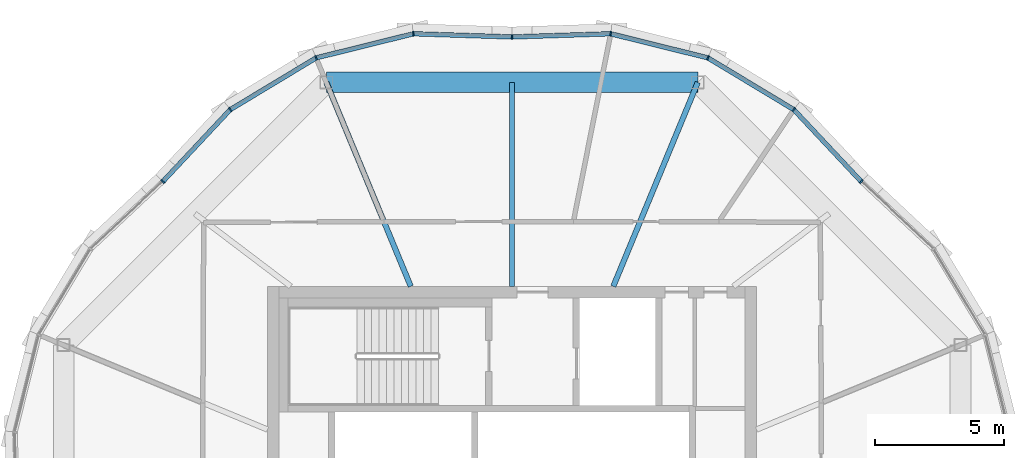
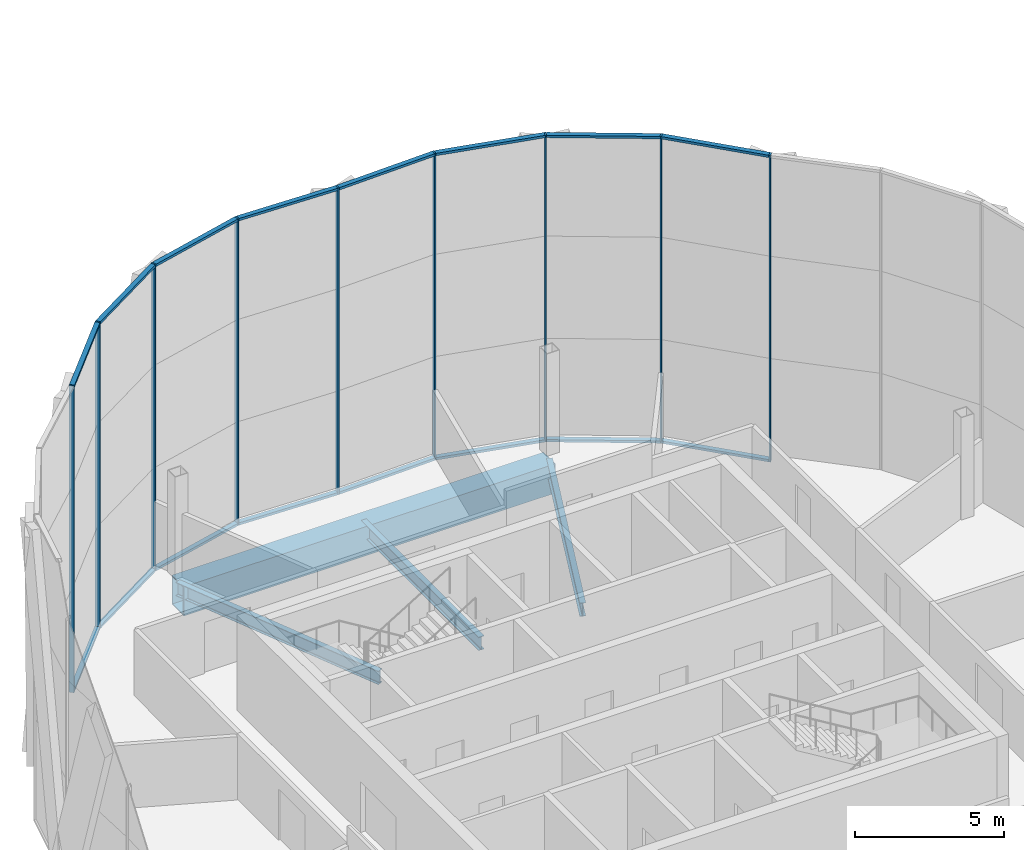
# One storey, part 7 of 23: 25 members, 4 beams, 3 elements without a shape of their own.
"""IFC4 building model written with IfcOpenShell, lengths in metres."""

import ifcopenshell
import ifcopenshell.guid

model = None  # the IFC model being written
_history = None  # IfcOwnerHistory: only IFC2X3 demands one
_inside = {}  # id of a spatial element -> (the spatial element, [elements in it])
_under = {}  # id of a project, library or spatial element -> (it, [spatial elements below it])
_declared = {}  # id of a project -> (the project, [libraries it declares])
_typed = {}  # id of a type object -> (the type object, [elements of that type])
_made_of = {}  # id of a material, layer set ... -> (it, [elements and type objects made of it])


def new_model(schema):
    """Start an empty IFC model of exactly this schema.

    Asked for "IFC4X3", IfcOpenShell would pick the latest addendum, in which some entities
    have other attributes; the version numbers below select the first issue.
    IFC2X3 requires an IfcOwnerHistory on every rooted entity: one is made here for all.
    """
    global model, _history
    if schema == "IFC4X3":
        model = ifcopenshell.file(schema_version=(4, 3, 0, 0))
    else:
        model = ifcopenshell.file(schema=schema)
    _inside.clear()
    _under.clear()
    _declared.clear()
    _typed.clear()
    _made_of.clear()
    _history = None
    if model.schema == "IFC2X3":
        org = make("IfcOrganization", Name="unknown")
        user = make(
            "IfcPersonAndOrganization",
            ThePerson=make("IfcPerson", FamilyName="unknown"),
            TheOrganization=org,
        )
        app = make(
            "IfcApplication",
            ApplicationDeveloper=org,
            Version="unknown",
            ApplicationFullName="unknown",
            ApplicationIdentifier="unknown",
        )
        _history = make(
            "IfcOwnerHistory",
            OwningUser=user,
            OwningApplication=app,
            ChangeAction="ADDED",
            CreationDate=0,
        )
    return model


def make(cls, **values):
    """One entity of the class cls with the attributes given. An attribute that is None is left unset."""
    return model.create_entity(
        cls, **{name: value for name, value in values.items() if value is not None}
    )


def rooted(cls, **values):
    """An entity with a GlobalId (a new one), such as an element, a storey or a relation."""
    return make(cls, GlobalId=ifcopenshell.guid.new(), OwnerHistory=_history, **values)


def si_unit(unit_type, name, prefix=None):
    """IfcSIUnit, for example si_unit("LENGTHUNIT", "METRE", prefix="MILLI")."""
    return make("IfcSIUnit", UnitType=unit_type, Prefix=prefix, Name=name)


def assignment(units):
    """IfcUnitAssignment: the units of a project."""
    return None if units is None else make("IfcUnitAssignment", Units=units)


def point(xyz):
    """IfcCartesianPoint."""
    return None if xyz is None else make("IfcCartesianPoint", Coordinates=xyz)


def direction(xyz):
    """IfcDirection."""
    return None if xyz is None else make("IfcDirection", DirectionRatios=xyz)


def frame(location, z_axis=None, x_axis=None):
    """IfcAxis2Placement3D, a coordinate frame: its origin and axes. An axis left out is left unset."""
    return make(
        "IfcAxis2Placement3D",
        Location=point(location),
        Axis=direction(z_axis),
        RefDirection=direction(x_axis),
    )


def frame_2d(location, x_axis=None):
    """IfcAxis2Placement2D, a coordinate frame in the plane: its origin and x axis."""
    return make(
        "IfcAxis2Placement2D", Location=point(location), RefDirection=direction(x_axis)
    )


def origin():
    """The frame at (0, 0, 0) with its axes left unset."""
    return frame((0.0, 0.0, 0.0))


def origin_2d():
    """The frame at (0, 0) in the plane with its x axis left unset."""
    return frame_2d((0.0, 0.0))


def place(relative_to, where):
    """IfcLocalPlacement: puts the frame where relative to a parent placement (None: the world)."""
    return make(
        "IfcLocalPlacement", PlacementRelTo=relative_to, RelativePlacement=where
    )


def context(
    kind, dimensions, precision=None, world=None, true_north=None, identifier=None
):
    """IfcGeometricRepresentationContext, for example the 3D "Model" context."""
    return make(
        "IfcGeometricRepresentationContext",
        ContextIdentifier=identifier,
        ContextType=kind,
        CoordinateSpaceDimension=dimensions,
        Precision=precision,
        WorldCoordinateSystem=world,
        TrueNorth=true_north,
    )


def subcontext(parent, identifier, kind, view, scale=None):
    """IfcGeometricRepresentationSubContext, for example "Body" below "Model"."""
    return make(
        "IfcGeometricRepresentationSubContext",
        ContextIdentifier=identifier,
        ContextType=kind,
        ParentContext=parent,
        TargetScale=scale,
        TargetView=view,
    )


def project(units=None, contexts=None):
    """IfcProject with its units and contexts."""
    return rooted(
        "IfcProject",
        Name="project",
        RepresentationContexts=contexts,
        UnitsInContext=assignment(units),
    )


def spatial(cls, under=None, at=None, **own):
    """A site, building, storey or space (cls), placed at a placement, below another one or the project."""
    s = rooted(cls, ObjectPlacement=at, **own)
    if under is not None:
        _under.setdefault(under.id(), (under, []))[1].append(s)
    return s


def profile(cls, at=None, kind="AREA", **sizes):
    """A parametric profile (cls). Its sizes go by their IFC names, for example OverallWidth=200.0."""
    return make(cls, ProfileType=kind, Position=at, **sizes)


def rectangle(**sizes):
    """IfcRectangleProfileDef."""
    return profile("IfcRectangleProfileDef", **sizes)


def hollow_rectangle(**sizes):
    """IfcRectangleHollowProfileDef."""
    return profile("IfcRectangleHollowProfileDef", **sizes)


def i_section(**sizes):
    """IfcIShapeProfileDef."""
    return profile("IfcIShapeProfileDef", **sizes)


def extrude(swept, where, along, depth):
    """IfcExtrudedAreaSolid: the profile swept, set in the frame where, extruded along a direction by depth."""
    return make(
        "IfcExtrudedAreaSolid",
        SweptArea=swept,
        Position=where,
        ExtrudedDirection=direction(along),
        Depth=depth,
    )


def shape(context_of_items, identifier, shape_type, items):
    """IfcShapeRepresentation: the items that make up one representation, for example the "Body"."""
    return make(
        "IfcShapeRepresentation",
        ContextOfItems=context_of_items,
        RepresentationIdentifier=identifier,
        RepresentationType=shape_type,
        Items=items,
    )


def material(Name=None, Category=None):
    """IfcMaterial."""
    return make("IfcMaterial", Name=Name, Category=Category)


def material_profile(
    of_material, cross_section, Name=None, Category=None, Priority=None
):
    """IfcMaterialProfile: a cross section and its material."""
    return make(
        "IfcMaterialProfile",
        Name=Name,
        Material=of_material,
        Profile=cross_section,
        Priority=Priority,
        Category=Category,
    )


def profile_set(profiles, Name=None, composite=None):
    """IfcMaterialProfileSet."""
    return make(
        "IfcMaterialProfileSet",
        Name=Name,
        MaterialProfiles=profiles,
        CompositeProfile=composite,
    )


def made_of(thing, what):
    """Note that an element or type object is made of a material, layer set ...; save() writes the relation."""
    if what is not None:
        _made_of.setdefault(what.id(), (what, []))[1].append(thing)
    return thing


def type_object(cls, material=None, **own):
    """A type object (cls), such as IfcWallType, which elements share."""
    return made_of(rooted(cls, **own), material)


def element(
    cls,
    number,
    at=None,
    inside=None,
    cuts=None,
    type_object=None,
    material=None,
    context=None,
    identifier="Body",
    shape_type=None,
    held_by="IfcProductDefinitionShape",
    body=None,
    shapes=None,
    **own,
):
    """One element of the class cls, such as IfcWall. Its Tag is "e" and its number.

    at: its placement. inside: the storey or other place that contains it. cuts: it is an
    opening in that element (IfcRelVoidsElement). A single representation is given by context,
    identifier, shape_type and body (its items); several are given by shapes. held_by: the class
    of the entity that holds the representations. save() writes the other relations.
    """
    e = rooted(cls, Tag="e%d" % number, ObjectPlacement=at, **own)
    if body is not None:
        shapes = [shape(context, identifier, shape_type, body)]
    if shapes is not None:
        e.Representation = make(held_by, Representations=shapes)
    if inside is not None:
        _inside.setdefault(inside.id(), (inside, []))[1].append(e)
    if cuts is not None:
        rooted(
            "IfcRelVoidsElement", RelatingBuildingElement=cuts, RelatedOpeningElement=e
        )
    if type_object is not None:
        _typed.setdefault(type_object.id(), (type_object, []))[1].append(e)
    return made_of(e, material)


def aggregate(whole, parts):
    """IfcRelAggregates: a whole, such as a stair, and the parts it consists of."""
    return rooted("IfcRelAggregates", RelatingObject=whole, RelatedObjects=parts)


def save(model, path):
    """Write the relations noted so far, then the file.

    IfcRelAggregates (storeys below a building ...), IfcRelContainedInSpatialStructure (elements
    in a storey), IfcRelDefinesByType, IfcRelAssociatesMaterial and IfcRelDeclares: one each for
    every whole, place, type object, material and project.
    """
    for whole, parts in _under.values():
        aggregate(whole, parts)
    for where, things in _inside.values():
        rooted(
            "IfcRelContainedInSpatialStructure",
            RelatedElements=things,
            RelatingStructure=where,
        )
    for kind, things in _typed.values():
        rooted("IfcRelDefinesByType", RelatedObjects=things, RelatingType=kind)
    for what, things in _made_of.values():
        rooted("IfcRelAssociatesMaterial", RelatedObjects=things, RelatingMaterial=what)
    for by, libraries in _declared.values():
        rooted("IfcRelDeclares", RelatingContext=by, RelatedDefinitions=libraries)
    model.write(path)


model = new_model("IFC4")

# Units and contexts
model_context = context("Model", 3, precision=1e-05, world=origin(), true_north=direction((0.0, 1.0)))
body_context = subcontext(model_context, "Body", "Model", "MODEL_VIEW")
ifc_project = project(units=[si_unit("LENGTHUNIT", "METRE"), si_unit("AREAUNIT", "SQUARE_METRE"), si_unit("VOLUMEUNIT", "CUBIC_METRE"), si_unit("PLANEANGLEUNIT", "RADIAN"), si_unit("MASSUNIT", "GRAM", prefix="KILO")], contexts=[model_context])

# Site, building, storey
site_placement = place(None, origin())
site = spatial("IfcSite", under=ifc_project, at=site_placement, CompositionType="ELEMENT")
building_placement = place(site_placement, origin())
building = spatial("IfcBuilding", under=site, at=building_placement, Name="Ogive Gate Towers", CompositionType="ELEMENT")
storey_placement = place(building_placement, frame((0.0, 0.0, 256.199951171875)))
storey = spatial("IfcBuildingStorey", under=building, at=storey_placement, Name="L60", CompositionType="ELEMENT", Elevation=256.199951171875)

# Beams
ifc_material_1 = material(Name="Steel SM460", Category="steel")
ifc_material_profile_1 = material_profile(ifc_material_1, hollow_rectangle(XDim=0.800048828125, YDim=1.199951171875, WallThickness=0.050048828125, at=origin_2d()), Name="BX 1200x800x50")
ifc_profile_set_1 = profile_set([ifc_material_profile_1], Name="Steel SM460")
beam_type_1 = type_object("IfcBeamType", Name="Edge girder BX 1200x800x50", PredefinedType="BEAM", material=ifc_profile_set_1)
beam_1_placement = place(storey_placement, frame((-28.782470703125, 17.42431640625, -0.89990234375), z_axis=(-1.0, 0.0, 0.0), x_axis=(0.0, -1.0, 0.0)))
element("IfcBeam", 1, at=beam_1_placement, inside=storey, type_object=beam_type_1, Name="T1/L60/SBM022", PredefinedType="BEAM", context=body_context, shape_type="SweptSolid", body=[
    extrude(hollow_rectangle(XDim=0.800048828125, YDim=1.199951171875, WallThickness=0.050048828125, at=origin_2d()), origin(), (0.0, 0.0, 1.0), 14.43505859375),
])
ifc_material_2 = material(Name="Steel SM355", Category="steel")
ifc_material_profile_2 = material_profile(ifc_material_2, i_section(OverallWidth=0.2099609375, OverallDepth=0.550048828125, WebThickness=0.010986328125, FlangeThickness=0.01708984375, FilletRadius=0.02392578125, at=origin_2d()), Name="IPE 550")
ifc_profile_set_2 = profile_set([ifc_material_profile_2], Name="Steel SM355")
beam_type_2 = type_object("IfcBeamType", Name="Radial floor beam IPE 550", PredefinedType="BEAM", material=ifc_profile_set_2)
beam_2_placement = place(storey_placement, frame((-32.06494140625, 9.5, -0.574951171875), z_axis=(0.382694515667, 0.923874941579, 0.0), x_axis=(-0.923874941579, 0.382694515667, 0.0)))
element("IfcBeam", 2, at=beam_2_placement, inside=storey, type_object=beam_type_2, Name="T1/L60/SBM011", PredefinedType="BEAM", context=body_context, shape_type="SweptSolid", body=[
    extrude(i_section(OverallWidth=0.2099609375, OverallDepth=0.550048828125, WebThickness=0.010986328125, FlangeThickness=0.01708984375, FilletRadius=0.02392578125, at=origin_2d()), origin(), (0.0, 0.0, 1.0), 8.5771484375),
])
beam_3_placement = place(storey_placement, frame((-36.0, 9.5, -0.574951171875), z_axis=(0.0, 1.0, 0.0), x_axis=(-1.0, 0.0, 0.0)))
element("IfcBeam", 3, at=beam_3_placement, inside=storey, type_object=beam_type_2, Name="T1/L60/SBM012", PredefinedType="BEAM", context=body_context, shape_type="SweptSolid", body=[
    extrude(i_section(OverallWidth=0.2099609375, OverallDepth=0.550048828125, WebThickness=0.010986328125, FlangeThickness=0.01708984375, FilletRadius=0.02392578125, at=origin_2d()), origin(), (0.0, 0.0, 1.0), 7.92431640625),
])
beam_4_placement = place(storey_placement, frame((-39.93505859375, 9.5, -0.574951171875), z_axis=(-0.382694515667, 0.923874941579, 0.0), x_axis=(-0.923874941579, -0.382694515667, 0.0)))
element("IfcBeam", 4, at=beam_4_placement, inside=storey, type_object=beam_type_2, Name="T1/L60/SBM013", PredefinedType="BEAM", context=body_context, shape_type="SweptSolid", body=[
    extrude(i_section(OverallWidth=0.2099609375, OverallDepth=0.550048828125, WebThickness=0.010986328125, FlangeThickness=0.01708984375, FilletRadius=0.02392578125, at=origin_2d()), origin(), (0.0, 0.0, 1.0), 8.5771484375),
])

# Curtain wall, member
ifc_material_3 = material(Name="Pale metal aluminium", Category="aluminium")
curtain_wall_type = type_object("IfcCurtainWallType", Name="Tower unitised wall, high zone", PredefinedType="NOTDEFINED", material=ifc_material_3)
curtain_wall_1_placement = place(storey_placement, origin())
curtain_wall_1 = element("IfcCurtainWall", 5, at=curtain_wall_1_placement, inside=storey, type_object=curtain_wall_type, Name="CW2 T1 ECW01", PredefinedType="NOTDEFINED")
ifc_material_profile_3 = material_profile(ifc_material_3, rectangle(XDim=0.179931640625, YDim=0.06005859375, at=origin_2d()), Name="60 x 180 aluminium box")
ifc_profile_set_3 = profile_set([ifc_material_profile_3], Name="Pale metal aluminium")
member_type_1 = type_object("IfcMemberType", Name="Tower unitised wall, high zone mullion 60 x 180", PredefinedType="MULLION", material=ifc_profile_set_3)
member_1_placement = place(storey_placement, frame((-22.430419921875, 13.569091796875, -0.300048828125), z_axis=(0.0, 0.0, 1.0), x_axis=(0.68393616645, 0.729541856388, 0.0)))
member_1 = element("IfcMember", 6, at=member_1_placement, type_object=member_type_1, Name="CW2 mullion", PredefinedType="MULLION", context=body_context, shape_type="SweptSolid", body=[
    extrude(rectangle(XDim=0.179931640625, YDim=0.06005859375, at=origin_2d()), origin(), (0.0, 0.0, 1.0), 12.60009765625),
])
aggregate(curtain_wall_1, [member_1])

# Curtain wall, members
curtain_wall_2_placement = place(storey_placement, origin())
curtain_wall_2 = element("IfcCurtainWall", 7, at=curtain_wall_2_placement, inside=storey, type_object=curtain_wall_type, Name="CW2 T1 ECW02", PredefinedType="NOTDEFINED")
member_2_placement = place(storey_placement, frame((-25.0537109375, 16.367431640625, -0.300048828125), z_axis=(0.0, 0.0, 1.0), x_axis=(0.628791258825, 0.777574146191, 0.0)))
member_2 = element("IfcMember", 8, at=member_2_placement, type_object=member_type_1, Name="CW2 mullion", PredefinedType="MULLION", context=body_context, shape_type="SweptSolid", body=[
    extrude(rectangle(XDim=0.179931640625, YDim=0.06005859375, at=origin_2d()), origin(), (0.0, 0.0, 1.0), 12.60009765625),
])
member_3_placement = place(storey_placement, frame((-28.387939453125, 18.376953125, -0.300048828125), z_axis=(0.0, 0.0, 1.0), x_axis=(0.382683432365, 0.923879532511, 0.0)))
member_3 = element("IfcMember", 9, at=member_3_placement, type_object=member_type_1, Name="CW2 mullion", PredefinedType="MULLION", context=body_context, shape_type="SweptSolid", body=[
    extrude(rectangle(XDim=0.179931640625, YDim=0.06005859375, at=origin_2d()), origin(), (0.0, 0.0, 1.0), 12.60009765625),
])
member_4_placement = place(storey_placement, frame((-32.166748046875, 19.31396484375, -0.300048828125), z_axis=(0.0, 0.0, 1.0), x_axis=(0.105205388581, 0.994450514713, 0.0)))
member_4 = element("IfcMember", 10, at=member_4_placement, type_object=member_type_1, Name="CW2 mullion", PredefinedType="MULLION", context=body_context, shape_type="SweptSolid", body=[
    extrude(rectangle(XDim=0.179931640625, YDim=0.06005859375, at=origin_2d()), origin(), (0.0, 0.0, 1.0), 12.60009765625),
])
member_5_placement = place(storey_placement, frame((-35.999755859375, 19.190185546875, -0.300048828125), z_axis=(0.0, 0.0, 1.0), x_axis=(-0.032248092615, 0.999479895007, 0.0)))
member_5 = element("IfcMember", 11, at=member_5_placement, type_object=member_type_1, Name="CW2 mullion", PredefinedType="MULLION", context=body_context, shape_type="SweptSolid", body=[
    extrude(rectangle(XDim=0.179931640625, YDim=0.06005859375, at=origin_2d()), origin(), (0.0, 0.0, 1.0), 12.60009765625),
])

curtain_wall_3_placement = place(storey_placement, origin())
curtain_wall_3 = element("IfcCurtainWall", 12, at=curtain_wall_3_placement, inside=storey, type_object=curtain_wall_type, Name="CW2 T1 ECW03", PredefinedType="NOTDEFINED")
member_6_placement = place(storey_placement, frame((-39.833251953125, 19.31396484375, -0.300048828125), z_axis=(0.0, 0.0, 1.0), x_axis=(-0.105205388581, 0.994450514713, 0.0)))
member_6 = element("IfcMember", 13, at=member_6_placement, type_object=member_type_1, Name="CW2 mullion", PredefinedType="MULLION", context=body_context, shape_type="SweptSolid", body=[
    extrude(rectangle(XDim=0.179931640625, YDim=0.06005859375, at=origin_2d()), origin(), (0.0, 0.0, 1.0), 12.60009765625),
])
member_7_placement = place(storey_placement, frame((-43.612060546875, 18.376953125, -0.300048828125), z_axis=(0.0, 0.0, 1.0), x_axis=(-0.382683432365, 0.923879532511, 0.0)))
member_7 = element("IfcMember", 14, at=member_7_placement, type_object=member_type_1, Name="CW2 mullion", PredefinedType="MULLION", context=body_context, shape_type="SweptSolid", body=[
    extrude(rectangle(XDim=0.179931640625, YDim=0.06005859375, at=origin_2d()), origin(), (0.0, 0.0, 1.0), 12.60009765625),
])
member_8_placement = place(storey_placement, frame((-46.9462890625, 16.367431640625, -0.300048828125), z_axis=(0.0, 0.0, 1.0), x_axis=(-0.628791258825, 0.777574146191, 0.0)))
member_8 = element("IfcMember", 15, at=member_8_placement, type_object=member_type_1, Name="CW2 mullion", PredefinedType="MULLION", context=body_context, shape_type="SweptSolid", body=[
    extrude(rectangle(XDim=0.179931640625, YDim=0.06005859375, at=origin_2d()), origin(), (0.0, 0.0, 1.0), 12.60009765625),
])
member_9_placement = place(storey_placement, frame((-49.569091796875, 13.569580078125, -0.300048828125), z_axis=(0.0, 0.0, 1.0), x_axis=(-0.729541856388, 0.68393616645, 0.0)))
member_9 = element("IfcMember", 16, at=member_9_placement, type_object=member_type_1, Name="CW2 mullion", PredefinedType="MULLION", context=body_context, shape_type="SweptSolid", body=[
    extrude(rectangle(XDim=0.179931640625, YDim=0.06005859375, at=origin_2d()), origin(), (0.0, 0.0, 1.0), 12.60009765625),
])

# Member
ifc_material_profile_4 = material_profile(ifc_material_3, rectangle(XDim=0.179931640625, YDim=0.10009765625, at=origin_2d()), Name="100 x 180 aluminium box")
ifc_profile_set_4 = profile_set([ifc_material_profile_4], Name="Pale metal aluminium")
member_type_2 = type_object("IfcMemberType", Name="Tower unitised wall, high zone transom 100 x 180", PredefinedType="USERDEFINED", material=ifc_profile_set_4)
member_10_placement = place(storey_placement, frame((-22.451416015625, 13.591552734375, 12.25), z_axis=(-0.683917473319, 0.729559380509, 0.0), x_axis=(-0.729559380509, -0.683917473319, 0.0)))
member_10 = element("IfcMember", 17, at=member_10_placement, type_object=member_type_2, Name="CW2 transom", ObjectType="TRANSOM", PredefinedType="USERDEFINED", context=body_context, shape_type="SweptSolid", body=[
    extrude(rectangle(XDim=0.179931640625, YDim=0.10009765625, at=origin_2d()), origin(), (0.0, 0.0, 1.0), 3.7763671875),
])

member_11_placement = place(storey_placement, frame((-22.451416015625, 13.591552734375, -0.25), z_axis=(-0.683917473319, 0.729559380509, 0.0), x_axis=(-0.729559380509, -0.683917473319, 0.0)))
member_11 = element("IfcMember", 18, at=member_11_placement, type_object=member_type_2, Name="CW2 transom", ObjectType="TRANSOM", PredefinedType="USERDEFINED", context=body_context, shape_type="SweptSolid", body=[
    extrude(rectangle(XDim=0.179931640625, YDim=0.10009765625, at=origin_2d()), origin(), (0.0, 0.0, 1.0), 3.7763671875),
])

member_12_placement = place(storey_placement, frame((-25.078125, 16.382080078125, 12.25), z_axis=(-0.856474875076, 0.516188713906, 0.0), x_axis=(-0.516188713906, -0.856474875076, 0.0)))
member_12 = element("IfcMember", 19, at=member_12_placement, type_object=member_type_2, Name="CW2 transom", ObjectType="TRANSOM", PredefinedType="USERDEFINED", context=body_context, shape_type="SweptSolid", body=[
    extrude(rectangle(XDim=0.179931640625, YDim=0.10009765625, at=origin_2d()), origin(), (0.0, 0.0, 1.0), 3.836181640625),
])

member_13_placement = place(storey_placement, frame((-25.078125, 16.382080078125, -0.25), z_axis=(-0.856474875076, 0.516188713906, 0.0), x_axis=(-0.516188713906, -0.856474875076, 0.0)))
member_13 = element("IfcMember", 20, at=member_13_placement, type_object=member_type_2, Name="CW2 transom", ObjectType="TRANSOM", PredefinedType="USERDEFINED", context=body_context, shape_type="SweptSolid", body=[
    extrude(rectangle(XDim=0.179931640625, YDim=0.10009765625, at=origin_2d()), origin(), (0.0, 0.0, 1.0), 3.836181640625),
])

member_14_placement = place(storey_placement, frame((-28.415771484375, 18.3837890625, 12.25), z_axis=(-0.97061239956, 0.240648228376, 0.0), x_axis=(-0.240648228376, -0.97061239956, 0.0)))
member_14 = element("IfcMember", 21, at=member_14_placement, type_object=member_type_2, Name="CW2 transom", ObjectType="TRANSOM", PredefinedType="USERDEFINED", context=body_context, shape_type="SweptSolid", body=[
    extrude(rectangle(XDim=0.179931640625, YDim=0.10009765625, at=origin_2d()), origin(), (0.0, 0.0, 1.0), 3.8359375),
])

member_15_placement = place(storey_placement, frame((-28.415771484375, 18.3837890625, -0.25), z_axis=(-0.97061239956, 0.240648228376, 0.0), x_axis=(-0.240648228376, -0.97061239956, 0.0)))
member_15 = element("IfcMember", 22, at=member_15_placement, type_object=member_type_2, Name="CW2 transom", ObjectType="TRANSOM", PredefinedType="USERDEFINED", context=body_context, shape_type="SweptSolid", body=[
    extrude(rectangle(XDim=0.179931640625, YDim=0.10009765625, at=origin_2d()), origin(), (0.0, 0.0, 1.0), 3.8359375),
])

member_16_placement = place(storey_placement, frame((-32.1953125, 19.312744140625, 12.25), z_axis=(-0.99948159176, -0.032195461365, 0.0), x_axis=(0.032195461365, -0.99948159176, 0.0)))
member_16 = element("IfcMember", 23, at=member_16_placement, type_object=member_type_2, Name="CW2 transom", ObjectType="TRANSOM", PredefinedType="USERDEFINED", context=body_context, shape_type="SweptSolid", body=[
    extrude(rectangle(XDim=0.179931640625, YDim=0.10009765625, at=origin_2d()), origin(), (0.0, 0.0, 1.0), 3.7763671875),
])

member_17_placement = place(storey_placement, frame((-32.1953125, 19.312744140625, -0.25), z_axis=(-0.99948159176, -0.032195461365, 0.0), x_axis=(0.032195461365, -0.99948159176, 0.0)))
member_17 = element("IfcMember", 24, at=member_17_placement, type_object=member_type_2, Name="CW2 transom", ObjectType="TRANSOM", PredefinedType="USERDEFINED", context=body_context, shape_type="SweptSolid", body=[
    extrude(rectangle(XDim=0.179931640625, YDim=0.10009765625, at=origin_2d()), origin(), (0.0, 0.0, 1.0), 3.7763671875),
])

aggregate(curtain_wall_2, [member_2, member_10, member_11, member_3, member_12, member_13, member_4, member_14, member_15, member_5, member_16, member_17])

member_18_placement = place(storey_placement, frame((-36.0302734375, 19.191162109375, 12.25), z_axis=(-0.99948159176, 0.032195461365, 0.0), x_axis=(-0.032195461365, -0.99948159176, 0.0)))
member_18 = element("IfcMember", 25, at=member_18_placement, type_object=member_type_2, Name="CW2 transom", ObjectType="TRANSOM", PredefinedType="USERDEFINED", context=body_context, shape_type="SweptSolid", body=[
    extrude(rectangle(XDim=0.179931640625, YDim=0.10009765625, at=origin_2d()), origin(), (0.0, 0.0, 1.0), 3.7763671875),
])

member_19_placement = place(storey_placement, frame((-36.0302734375, 19.191162109375, -0.25), z_axis=(-0.99948159176, 0.032195461365, 0.0), x_axis=(-0.032195461365, -0.99948159176, 0.0)))
member_19 = element("IfcMember", 26, at=member_19_placement, type_object=member_type_2, Name="CW2 transom", ObjectType="TRANSOM", PredefinedType="USERDEFINED", context=body_context, shape_type="SweptSolid", body=[
    extrude(rectangle(XDim=0.179931640625, YDim=0.10009765625, at=origin_2d()), origin(), (0.0, 0.0, 1.0), 3.7763671875),
])

member_20_placement = place(storey_placement, frame((-39.861083984375, 19.306884765625, 12.25), z_axis=(-0.97061239956, -0.240648228376, 0.0), x_axis=(0.240648228376, -0.97061239956, 0.0)))
member_20 = element("IfcMember", 27, at=member_20_placement, type_object=member_type_2, Name="CW2 transom", ObjectType="TRANSOM", PredefinedType="USERDEFINED", context=body_context, shape_type="SweptSolid", body=[
    extrude(rectangle(XDim=0.179931640625, YDim=0.10009765625, at=origin_2d()), origin(), (0.0, 0.0, 1.0), 3.8359375),
])

member_21_placement = place(storey_placement, frame((-39.861083984375, 19.306884765625, -0.25), z_axis=(-0.97061239956, -0.240648228376, 0.0), x_axis=(0.240648228376, -0.97061239956, 0.0)))
member_21 = element("IfcMember", 28, at=member_21_placement, type_object=member_type_2, Name="CW2 transom", ObjectType="TRANSOM", PredefinedType="USERDEFINED", context=body_context, shape_type="SweptSolid", body=[
    extrude(rectangle(XDim=0.179931640625, YDim=0.10009765625, at=origin_2d()), origin(), (0.0, 0.0, 1.0), 3.8359375),
])

member_22_placement = place(storey_placement, frame((-43.63623046875, 18.3623046875, 12.25), z_axis=(-0.856474875076, -0.516188713906, 0.0), x_axis=(0.516188713906, -0.856474875076, 0.0)))
member_22 = element("IfcMember", 29, at=member_22_placement, type_object=member_type_2, Name="CW2 transom", ObjectType="TRANSOM", PredefinedType="USERDEFINED", context=body_context, shape_type="SweptSolid", body=[
    extrude(rectangle(XDim=0.179931640625, YDim=0.10009765625, at=origin_2d()), origin(), (0.0, 0.0, 1.0), 3.836181640625),
])

member_23_placement = place(storey_placement, frame((-43.63623046875, 18.3623046875, -0.25), z_axis=(-0.856474875076, -0.516188713906, 0.0), x_axis=(0.516188713906, -0.856474875076, 0.0)))
member_23 = element("IfcMember", 30, at=member_23_placement, type_object=member_type_2, Name="CW2 transom", ObjectType="TRANSOM", PredefinedType="USERDEFINED", context=body_context, shape_type="SweptSolid", body=[
    extrude(rectangle(XDim=0.179931640625, YDim=0.10009765625, at=origin_2d()), origin(), (0.0, 0.0, 1.0), 3.836181640625),
])

member_24_placement = place(storey_placement, frame((-46.9658203125, 16.3466796875, 12.25), z_axis=(-0.683917473319, -0.729559380509, 0.0), x_axis=(0.729559380509, -0.683917473319, 0.0)))
member_24 = element("IfcMember", 31, at=member_24_placement, type_object=member_type_2, Name="CW2 transom", ObjectType="TRANSOM", PredefinedType="USERDEFINED", context=body_context, shape_type="SweptSolid", body=[
    extrude(rectangle(XDim=0.179931640625, YDim=0.10009765625, at=origin_2d()), origin(), (0.0, 0.0, 1.0), 3.7763671875),
])

member_25_placement = place(storey_placement, frame((-46.9658203125, 16.3466796875, -0.25), z_axis=(-0.683917473319, -0.729559380509, 0.0), x_axis=(0.729559380509, -0.683917473319, 0.0)))
member_25 = element("IfcMember", 32, at=member_25_placement, type_object=member_type_2, Name="CW2 transom", ObjectType="TRANSOM", PredefinedType="USERDEFINED", context=body_context, shape_type="SweptSolid", body=[
    extrude(rectangle(XDim=0.179931640625, YDim=0.10009765625, at=origin_2d()), origin(), (0.0, 0.0, 1.0), 3.7763671875),
])

aggregate(curtain_wall_3, [member_6, member_18, member_19, member_7, member_20, member_21, member_8, member_22, member_23, member_9, member_24, member_25])

save(model, "model.ifc")
